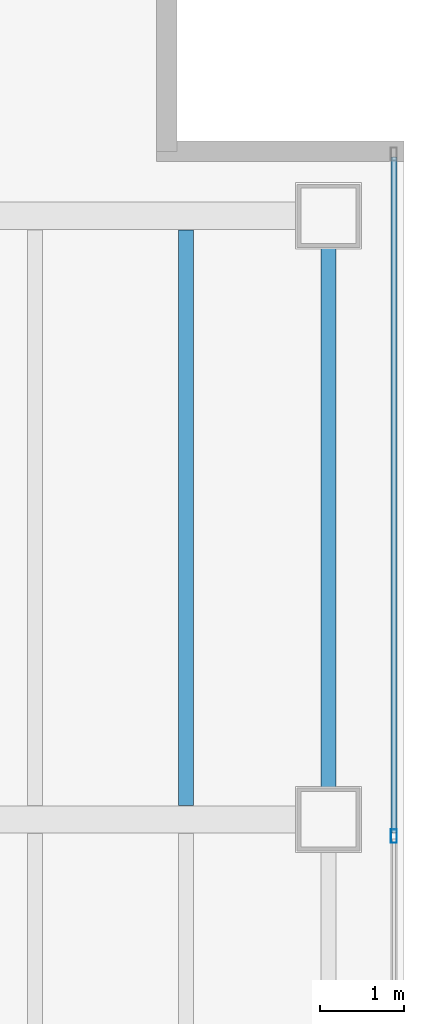
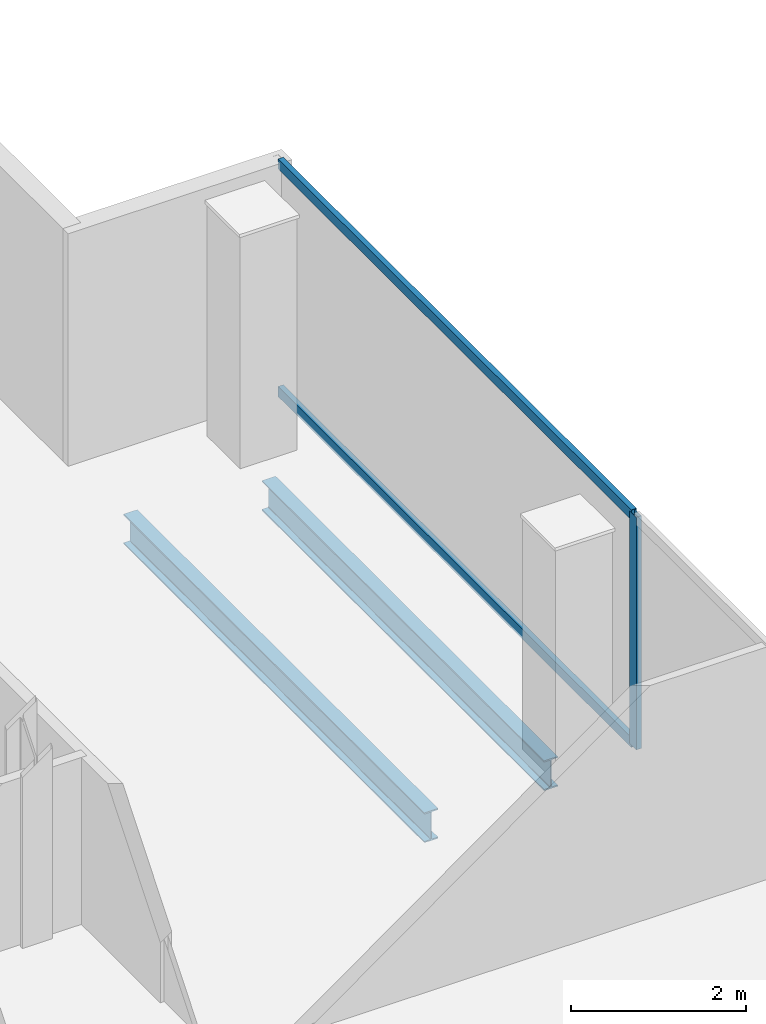
# One storey, part 14 of 23: 3 members, 2 beams, 1 element without a shape of its own.
"""IFC4 building model written with IfcOpenShell, lengths in metres."""

from ifc_helpers import new_model, si_unit, direction, frame, origin, origin_2d, place, context, subcontext, project, spatial, hollow_rectangle, i_section, extrude, material, material_profile, profile_set, type_object, element, aggregate, save


model = new_model("IFC4")

# Units and contexts
model_context = context("Model", 3, precision=1e-05, world=origin(), true_north=direction((0.0, 1.0)))
body_context = subcontext(model_context, "Body", "Model", "MODEL_VIEW")
ifc_project = project(units=[si_unit("LENGTHUNIT", "METRE"), si_unit("AREAUNIT", "SQUARE_METRE"), si_unit("VOLUMEUNIT", "CUBIC_METRE"), si_unit("PLANEANGLEUNIT", "RADIAN"), si_unit("MASSUNIT", "GRAM", prefix="KILO")], contexts=[model_context])

# Site, building, storey
site_placement = place(None, origin())
site = spatial("IfcSite", under=ifc_project, at=site_placement, CompositionType="ELEMENT")
building_placement = place(site_placement, origin())
building = spatial("IfcBuilding", under=site, at=building_placement, Name="Cobrela Telecom Tower", CompositionType="ELEMENT")
storey_placement = place(building_placement, frame((0.0, 0.0, 229.25)))
storey = spatial("IfcBuildingStorey", under=building, at=storey_placement, Name="L59", CompositionType="ELEMENT", Elevation=229.25)

# Beams
ifc_material_1 = material(Name="Steel ASTM A992 Grade 50", Category="steel")
ifc_material_profile_1 = material_profile(ifc_material_1, i_section(OverallWidth=0.179931640625, OverallDepth=0.4169921875, WebThickness=0.010986328125, FlangeThickness=0.01806640625, FilletRadius=0.011962890625, at=origin_2d()), Name="W16X57")
ifc_profile_set_1 = profile_set([ifc_material_profile_1], Name="Steel ASTM A992 Grade 50")
beam_type_1 = type_object("IfcBeamType", Name="BM-JOIST-04", PredefinedType="JOIST", material=ifc_profile_set_1)
beam_1_placement = place(storey_placement, frame((41.39990234375, 14.5673828125, -0.468505859375), z_axis=(0.0, 1.0, 0.0), x_axis=(-1.0, 0.0, 0.0)))
element("IfcBeam", 1, at=beam_1_placement, inside=storey, type_object=beam_type_1, Name="L59 Secondary Composite Floor Beam J30", PredefinedType="JOIST", context=body_context, shape_type="SweptSolid", body=[
    extrude(i_section(OverallWidth=0.179931640625, OverallDepth=0.4169921875, WebThickness=0.010986328125, FlangeThickness=0.01806640625, FilletRadius=0.011962890625, at=origin_2d()), origin(), (0.0, 0.0, 1.0), 6.865234375),
])
ifc_material_profile_2 = material_profile(ifc_material_1, i_section(OverallWidth=0.179931640625, OverallDepth=0.4169921875, WebThickness=0.010986328125, FlangeThickness=0.01806640625, FilletRadius=0.011962890625, at=origin_2d()), Name="W16X57")
ifc_profile_set_2 = profile_set([ifc_material_profile_2], Name="Steel ASTM A992 Grade 50")
beam_type_2 = type_object("IfcBeamType", Name="BM-SPAND-06", PredefinedType="SPANDREL", material=ifc_profile_set_2)
beam_2_placement = place(storey_placement, frame((43.10009765625, 14.780029296875, -0.468505859375), z_axis=(0.0, 1.0, 0.0), x_axis=(-1.0, 0.0, 0.0)))
element("IfcBeam", 2, at=beam_2_placement, inside=storey, type_object=beam_type_2, Name="L59 Perimeter Spandrel Y43", PredefinedType="SPANDREL", context=body_context, shape_type="SweptSolid", body=[
    extrude(i_section(OverallWidth=0.179931640625, OverallDepth=0.4169921875, WebThickness=0.010986328125, FlangeThickness=0.01806640625, FilletRadius=0.011962890625, at=origin_2d()), origin(), (0.0, 0.0, 1.0), 6.43994140625),
])

# Curtain wall, members
ifc_material_2 = material(Name="Anodized Bronze Aluminium 6063-T6", Category="aluminium")
curtain_wall_type = type_object("IfcCurtainWallType", Name="CW-SYS-OFF-LO", PredefinedType="USERDEFINED", material=ifc_material_2)
curtain_wall_placement = place(storey_placement, origin())
curtain_wall = element("IfcCurtainWall", 3, at=curtain_wall_placement, inside=storey, type_object=curtain_wall_type, Name="L59 Unitised Bronze Curtain Wall 14", ObjectType="UNITISED CURTAIN WALL", PredefinedType="USERDEFINED")
ifc_material_profile_3 = material_profile(ifc_material_2, hollow_rectangle(XDim=0.070068359375, YDim=0.159912109375, WallThickness=0.00390625, at=origin_2d()), Name="ALU 70x160x4")
ifc_profile_set_3 = profile_set([ifc_material_profile_3], Name="Anodized Bronze Aluminium 6063-T6")
member_type_1 = type_object("IfcMemberType", Name="CW-SYS-OFF-LO-MUL", PredefinedType="MULLION", material=ifc_profile_set_3)
member_1_placement = place(storey_placement, frame((43.8798828125, 14.199951171875, 0.0), z_axis=(0.0, 0.0, 1.0), x_axis=(1.0, 0.0, 0.0)))
member_1 = element("IfcMember", 4, at=member_1_placement, type_object=member_type_1, Name="CW-OFF-LO mullion 2", PredefinedType="MULLION", context=body_context, shape_type="SweptSolid", body=[
    extrude(hollow_rectangle(XDim=0.070068359375, YDim=0.159912109375, WallThickness=0.00390625, at=origin_2d()), origin(), (0.0, 0.0, 1.0), 3.239990234375),
])
ifc_material_profile_4 = material_profile(ifc_material_2, hollow_rectangle(XDim=0.070068359375, YDim=0.139892578125, WallThickness=0.00390625, at=origin_2d()), Name="ALU 70x140x4")
ifc_profile_set_4 = profile_set([ifc_material_profile_4], Name="Anodized Bronze Aluminium 6063-T6")
member_type_2 = type_object("IfcMemberType", Name="CW-SYS-OFF-LO-TRN", PredefinedType="USERDEFINED", material=ifc_profile_set_4)
member_2_placement = place(storey_placement, frame((43.8798828125, 22.300048828125, 0.034912109375), z_axis=(0.0, -1.0, 0.0), x_axis=(1.0, 0.0, 0.0)))
member_2 = element("IfcMember", 5, at=member_2_placement, type_object=member_type_2, Name="CW-OFF-LO transom 1.1", ObjectType="TRANSOM", PredefinedType="USERDEFINED", context=body_context, shape_type="SweptSolid", body=[
    extrude(hollow_rectangle(XDim=0.070068359375, YDim=0.139892578125, WallThickness=0.00390625, at=origin_2d()), origin(), (0.0, 0.0, 1.0), 8.06494140625),
])
member_3_placement = place(storey_placement, frame((43.8798828125, 22.300048828125, 3.205078125), z_axis=(0.0, -1.0, 0.0), x_axis=(1.0, 0.0, 0.0)))
member_3 = element("IfcMember", 6, at=member_3_placement, type_object=member_type_2, Name="CW-OFF-LO transom 1.2", ObjectType="TRANSOM", PredefinedType="USERDEFINED", context=body_context, shape_type="SweptSolid", body=[
    extrude(hollow_rectangle(XDim=0.070068359375, YDim=0.139892578125, WallThickness=0.00390625, at=origin_2d()), origin(), (0.0, 0.0, 1.0), 8.06494140625),
])
aggregate(curtain_wall, [member_1, member_2, member_3])

save(model, "model.ifc")
